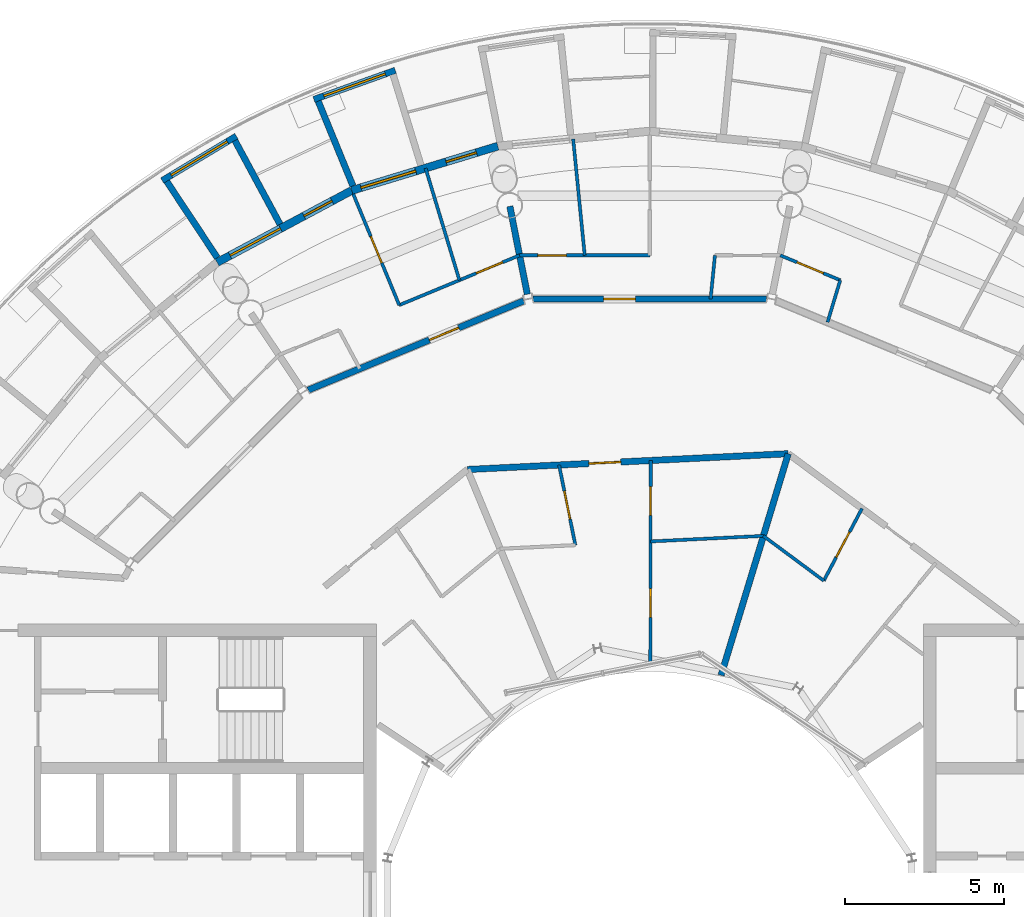
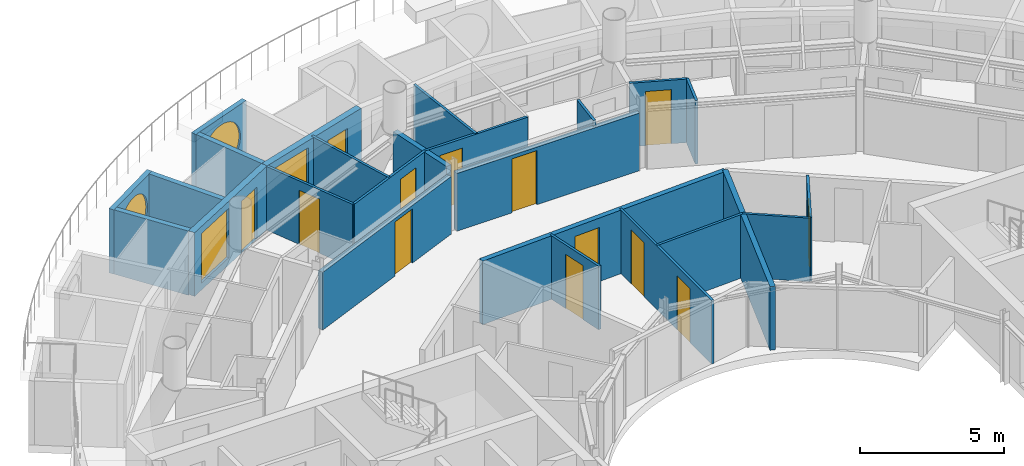
# One storey, part 19 of 25: 26 walls, 13 doors, 4 windows, 17 openings.
"""IFC4 building model written with IfcOpenShell, lengths in metres."""

from ifc_helpers import new_model, si_unit, direction, frame, frame_2d, origin, place, context, subcontext, project, spatial, rectangle, circle, extrude, material, layer, layer_set, type_object, element, fill, save


model = new_model("IFC4")

# Units and contexts
model_context = context("Model", 3, precision=1e-05, world=origin(), true_north=direction((0.0, 1.0)))
body_context = subcontext(model_context, "Body", "Model", "MODEL_VIEW")
ifc_project = project(units=[si_unit("LENGTHUNIT", "METRE"), si_unit("AREAUNIT", "SQUARE_METRE"), si_unit("VOLUMEUNIT", "CUBIC_METRE"), si_unit("PLANEANGLEUNIT", "RADIAN"), si_unit("MASSUNIT", "GRAM", prefix="KILO")], contexts=[model_context])

# Site, building, storey
site_placement = place(None, origin())
site = spatial("IfcSite", under=ifc_project, at=site_placement, CompositionType="ELEMENT")
building_placement = place(site_placement, origin())
building = spatial("IfcBuilding", under=site, at=building_placement, Name="Maasbend Ring Residences", CompositionType="ELEMENT")
storey_placement = place(building_placement, frame((0.0, 0.0, 246.25)))
storey = spatial("IfcBuildingStorey", under=building, at=storey_placement, Name="L71", CompositionType="ELEMENT", Elevation=246.25)

# Wall, opening, door
ifc_material_1 = material(Name="Concrete C30/37", Category="concrete")
ifc_layer_1 = layer(ifc_material_1, 0.199951171875)
ifc_layer_set_1 = layer_set([ifc_layer_1], Name="Concrete C30/37")
wall_type_1 = type_object("IfcWallType", Name="CORRIDOR WALL 200 CONCRETE", PredefinedType="PARTITIONING", material=ifc_layer_set_1)
wall_1_placement = place(storey_placement, frame((-5.739990234375, 13.85791015625, 0.0), z_axis=(0.0, 0.0, 1.0), x_axis=(0.998789005292, 0.049198810025, 0.0)))
wall_1 = element("IfcWall", 1, at=wall_1_placement, inside=storey, type_object=wall_type_1, Name="U-L71-w099", PredefinedType="PARTITIONING", context=body_context, shape_type="SweptSolid", body=[
    extrude(rectangle(XDim=10.103271484375, YDim=0.199951171875, at=frame_2d((5.0517578125, 0.0))), origin(), (0.0, 0.0, 1.0), 2.699951171875),
])
opening_1_placement = place(wall_1_placement, frame((3.8310546875, 0.0, 0.0)))
opening_1 = element("IfcOpeningElement", 2, at=opening_1_placement, cuts=wall_1, Name="Opening D-7125", PredefinedType="OPENING", context=body_context, shape_type="SweptSolid", body=[
    extrude(rectangle(XDim=1.0, YDim=2.300048828125, at=frame_2d((0.5, 1.14990234375))), frame((0.0, 0.10986328125, 0.0), z_axis=(0.0, -1.0, 0.0), x_axis=(1.0, 0.0, 0.0)), (0.0, 0.0, 1.0), 0.219970703125),
])
ifc_material_2 = material(Name="Timber, fire-rated, painted", Category="wood")
door_type_1 = type_object("IfcDoorType", Name="FLAT ENTRANCE DOOR 1000 X 2300 FIRE-RATED", OperationType="NOTDEFINED", PredefinedType="DOOR", material=ifc_material_2)
door_1_placement = place(opening_1_placement, origin())
door_1 = element("IfcDoor", 3, at=door_1_placement, inside=storey, type_object=door_type_1, Name="D-7125", OperationType="SINGLE_SWING_LEFT", OverallHeight=2.300048828125, OverallWidth=1.0, PredefinedType="DOOR", context=body_context, shape_type="SweptSolid", body=[
    extrude(rectangle(XDim=1.0, YDim=2.300048828125, at=frame_2d((0.5, 1.14990234375))), frame((0.0, 0.02490234375, 0.0), z_axis=(0.0, -1.0, 0.0), x_axis=(1.0, 0.0, 0.0)), (0.0, 0.0, 1.0), 0.050048828125),
])
fill(opening_1, door_1)

wall_2_placement = place(storey_placement, frame((-10.748046875, 16.35498046875, 0.0), z_axis=(0.0, 0.0, 1.0), x_axis=(0.92395118465, 0.382510402975, 0.0)))
wall_2 = element("IfcWall", 4, at=wall_2_placement, inside=storey, type_object=wall_type_1, Name="U-L71-w103", PredefinedType="PARTITIONING", context=body_context, shape_type="SweptSolid", body=[
    extrude(rectangle(XDim=7.34130859375, YDim=0.199951171875, at=frame_2d((3.670654296875, 0.0))), origin(), (0.0, 0.0, 1.0), 2.449951171875),
])
opening_2_placement = place(wall_2_placement, frame((4.126953125, 0.0, 0.0)))
opening_2 = element("IfcOpeningElement", 5, at=opening_2_placement, cuts=wall_2, Name="Opening D-7113", PredefinedType="OPENING", context=body_context, shape_type="SweptSolid", body=[
    extrude(rectangle(XDim=1.0, YDim=2.300048828125, at=frame_2d((0.5, 1.14990234375))), frame((0.0, 0.10986328125, 0.0), z_axis=(0.0, -1.0, 0.0), x_axis=(1.0, 0.0, 0.0)), (0.0, 0.0, 1.0), 0.219970703125),
])
door_2_placement = place(opening_2_placement, origin())
door_2 = element("IfcDoor", 6, at=door_2_placement, inside=storey, type_object=door_type_1, Name="D-7113", OperationType="SINGLE_SWING_RIGHT", OverallHeight=2.300048828125, OverallWidth=1.0, PredefinedType="DOOR", context=body_context, shape_type="SweptSolid", body=[
    extrude(rectangle(XDim=1.0, YDim=2.300048828125, at=frame_2d((0.5, 1.14990234375))), frame((0.0, 0.02490234375, 0.0), z_axis=(0.0, -1.0, 0.0), x_axis=(1.0, 0.0, 0.0)), (0.0, 0.0, 1.0), 0.050048828125),
])
fill(opening_2, door_2)

wall_3_placement = place(storey_placement, frame((-3.6708984375, 19.222900390625, 0.0), z_axis=(0.0, 0.0, 1.0), x_axis=(1.0, 0.0, 0.0)))
wall_3 = element("IfcWall", 7, at=wall_3_placement, inside=storey, type_object=wall_type_1, Name="U-L71-w104", PredefinedType="PARTITIONING", context=body_context, shape_type="SweptSolid", body=[
    extrude(rectangle(XDim=7.341796875, YDim=0.199951171875, at=frame_2d((3.6708984375, 0.0))), origin(), (0.0, 0.0, 1.0), 2.449951171875),
])
opening_3_placement = place(wall_3_placement, frame((2.215087890625, 0.0, 0.0)))
opening_3 = element("IfcOpeningElement", 8, at=opening_3_placement, cuts=wall_3, Name="Opening D-7109", PredefinedType="OPENING", context=body_context, shape_type="SweptSolid", body=[
    extrude(rectangle(XDim=1.0, YDim=2.300048828125, at=frame_2d((0.5, 1.14990234375))), frame((0.0, 0.10986328125, 0.0), z_axis=(0.0, -1.0, 0.0), x_axis=(1.0, 0.0, 0.0)), (0.0, 0.0, 1.0), 0.219970703125),
])
door_3_placement = place(opening_3_placement, origin())
door_3 = element("IfcDoor", 9, at=door_3_placement, inside=storey, type_object=door_type_1, Name="D-7109", OperationType="SINGLE_SWING_LEFT", OverallHeight=2.300048828125, OverallWidth=1.0, PredefinedType="DOOR", context=body_context, shape_type="SweptSolid", body=[
    extrude(rectangle(XDim=1.0, YDim=2.300048828125, at=frame_2d((0.5, 1.14990234375))), frame((0.0, 0.02490234375, 0.0), z_axis=(0.0, -1.0, 0.0), x_axis=(1.0, 0.0, 0.0)), (0.0, 0.0, 1.0), 0.050048828125),
])
fill(opening_3, door_3)

# Wall, opening, window
ifc_material_3 = material(Name="Pale anodised aluminium panel", Category="aluminium")
ifc_layer_2 = layer(ifc_material_3, 0.199951171875)
ifc_layer_set_2 = layer_set([ifc_layer_2], Name="EW-BOX")
wall_type_2 = type_object("IfcWallType", Name="EW-BOX", PredefinedType="SOLIDWALL", material=ifc_layer_set_2)
wall_4_placement = place(storey_placement, frame((-8.007080078125, 26.4130859375, -0.030029296875), z_axis=(0.0, 0.0, 1.0), x_axis=(-0.941532471443, -0.336922253968, 0.0)))
wall_4 = element("IfcWall", 10, at=wall_4_placement, inside=storey, type_object=wall_type_2, Name="Box front N14", PredefinedType="SOLIDWALL", context=body_context, shape_type="SweptSolid", body=[
    extrude(rectangle(XDim=2.71875, YDim=0.199951171875, at=frame_2d((1.359375, 0.0))), origin(), (0.0, 0.0, 1.0), 2.72998046875),
])
opening_4_placement = place(wall_4_placement, frame((0.319091796875, 0.0, 0.330078125)))
opening_4 = element("IfcOpeningElement", 11, at=opening_4_placement, cuts=wall_4, Name="Opening W-RD", PredefinedType="OPENING", context=body_context, shape_type="SweptSolid", body=[
    extrude(circle(Radius=1.0400390625, at=frame_2d((1.0400390625, 1.0400390625))), frame((0.0, 0.10986328125, 0.0), z_axis=(0.0, -1.0, 0.0), x_axis=(1.0, 0.0, 0.0)), (0.0, 0.0, 1.0), 0.219970703125),
])
ifc_material_4 = material(Name="Aluminium and clear glass", Category="aluminium")
window_type_1 = type_object("IfcWindowType", Name="W-RD", PartitioningType="SINGLE_PANEL", PredefinedType="WINDOW", material=ifc_material_4)
window_1_placement = place(opening_4_placement, origin())
window_1 = element("IfcWindow", 12, at=window_1_placement, inside=storey, type_object=window_type_1, Name="Round window N14", OverallHeight=2.080078125, OverallWidth=2.080078125, PartitioningType="SINGLE_PANEL", PredefinedType="WINDOW", context=body_context, shape_type="SweptSolid", body=[
    extrude(circle(Radius=1.0400390625, at=frame_2d((1.0400390625, 1.0400390625))), frame((0.0, 0.030029296875, 0.0), z_axis=(0.0, -1.0, 0.0), x_axis=(1.0, 0.0, 0.0)), (0.0, 0.0, 1.0), 0.06005859375),
])
fill(opening_4, window_1)

# Wall
wall_5_placement = place(storey_placement, frame((-9.337890625, 22.777099609375, -0.030029296875), z_axis=(0.0, 0.0, 1.0), x_axis=(-0.379219850791, 0.925306600412, 0.0)))
element("IfcWall", 13, at=wall_5_placement, inside=storey, type_object=wall_type_2, Name="Box side wall N14 right", PredefinedType="SOLIDWALL", context=body_context, shape_type="SweptSolid", body=[
    extrude(rectangle(XDim=2.88232421875, YDim=0.199951171875, at=frame_2d((1.441162109375, 0.0))), origin(), (0.0, 0.0, 1.0), 2.72998046875),
])

# Wall, opening, window
wall_6_placement = place(storey_placement, frame((-13.006103515625, 24.343017578125, -0.030029296875), z_axis=(0.0, 0.0, 1.0), x_axis=(-0.857833510448, -0.513927687863, 0.0)))
wall_6 = element("IfcWall", 14, at=wall_6_placement, inside=storey, type_object=wall_type_2, Name="Box front N16", PredefinedType="SOLIDWALL", context=body_context, shape_type="SweptSolid", body=[
    extrude(rectangle(XDim=2.71826171875, YDim=0.199951171875, at=frame_2d((1.359130859375, 0.0))), origin(), (0.0, 0.0, 1.0), 2.72998046875),
])
opening_5_placement = place(wall_6_placement, frame((0.319091796875, 0.0, 0.330078125)))
opening_5 = element("IfcOpeningElement", 15, at=opening_5_placement, cuts=wall_6, Name="Opening W-RD", PredefinedType="OPENING", context=body_context, shape_type="SweptSolid", body=[
    extrude(circle(Radius=1.0400390625, at=frame_2d((1.0400390625, 1.0400390625))), frame((0.0, 0.10986328125, 0.0), z_axis=(0.0, -1.0, 0.0), x_axis=(1.0, 0.0, 0.0)), (0.0, 0.0, 1.0), 0.219970703125),
])
window_2_placement = place(opening_5_placement, origin())
window_2 = element("IfcWindow", 16, at=window_2_placement, inside=storey, type_object=window_type_1, Name="Round window N16", OverallHeight=2.080078125, OverallWidth=2.080078125, PartitioningType="SINGLE_PANEL", PredefinedType="WINDOW", context=body_context, shape_type="SweptSolid", body=[
    extrude(circle(Radius=1.0400390625, at=frame_2d((1.0400390625, 1.0400390625))), frame((0.0, 0.030029296875, 0.0), z_axis=(0.0, -1.0, 0.0), x_axis=(1.0, 0.0, 0.0)), (0.0, 0.0, 1.0), 0.06005859375),
])
fill(opening_5, window_2)

# Walls
wall_7_placement = place(storey_placement, frame((-11.631103515625, 21.572021484375, -0.030029296875), z_axis=(0.0, 0.0, 1.0), x_axis=(-0.474649669009, 0.880174807473, 0.0)))
element("IfcWall", 17, at=wall_7_placement, inside=storey, type_object=wall_type_2, Name="Box side wall N16 left", PredefinedType="SOLIDWALL", context=body_context, shape_type="SweptSolid", body=[
    extrude(rectangle(XDim=2.991455078125, YDim=0.199951171875, at=frame_2d((1.49560546875, 0.0))), origin(), (0.0, 0.0, 1.0), 2.72998046875),
])
wall_8_placement = place(storey_placement, frame((-13.60302734375, 20.51806640625, -0.030029296875), z_axis=(0.0, 0.0, 1.0), x_axis=(-0.55248888476, 0.833520265031, 0.0)))
element("IfcWall", 18, at=wall_8_placement, inside=storey, type_object=wall_type_2, Name="Box side wall N16 right", PredefinedType="SOLIDWALL", context=body_context, shape_type="SweptSolid", body=[
    extrude(rectangle(XDim=2.881591796875, YDim=0.199951171875, at=frame_2d((1.44091796875, 0.0))), origin(), (0.0, 0.0, 1.0), 2.72998046875),
])

# Wall, openings, door, window
ifc_material_5 = material(Name="Aluminium clad insulated panel", Category="aluminium")
ifc_layer_3 = layer(ifc_material_5, 0.25)
ifc_layer_set_3 = layer_set([ifc_layer_3], Name="EW-GL")
wall_type_3 = type_object("IfcWallType", Name="EW-GL", PredefinedType="SOLIDWALL", material=ifc_layer_set_3)
wall_9_placement = place(storey_placement, frame((-4.780029296875, 24.029052734375, 0.0), z_axis=(0.0, 0.0, 1.0), x_axis=(-0.956947414517, -0.290261340605, 0.0)))
wall_9 = element("IfcWall", 19, at=wall_9_placement, inside=storey, type_object=wall_type_3, Name="External wall N07", PredefinedType="SOLIDWALL", context=body_context, shape_type="SweptSolid", body=[
    extrude(rectangle(XDim=4.802734375, YDim=0.25, at=frame_2d((2.4013671875, 0.0))), origin(), (0.0, 0.0, 1.0), 2.699951171875),
])
opening_6_placement = place(wall_9_placement, frame((0.70361328125, 0.0, 0.0)))
opening_6 = element("IfcOpeningElement", 20, at=opening_6_placement, cuts=wall_9, Name="Opening D-LG", PredefinedType="OPENING", context=body_context, shape_type="SweptSolid", body=[
    extrude(rectangle(XDim=1.0, YDim=2.199951171875, at=frame_2d((0.5, 1.10009765625))), frame((0.0, 0.135009765625, 0.0), z_axis=(0.0, -1.0, 0.0), x_axis=(1.0, 0.0, 0.0)), (0.0, 0.0, 1.0), 0.27001953125),
])
opening_7_placement = place(wall_9_placement, frame((2.69921875, 0.0, 0.300048828125)))
opening_7 = element("IfcOpeningElement", 21, at=opening_7_placement, cuts=wall_9, Name="Opening W-BX", PredefinedType="OPENING", context=body_context, shape_type="SweptSolid", body=[
    extrude(rectangle(XDim=1.800048828125, YDim=2.10009765625, at=frame_2d((0.89990234375, 1.050048828125))), frame((0.0, 0.135009765625, 0.0), z_axis=(0.0, -1.0, 0.0), x_axis=(1.0, 0.0, 0.0)), (0.0, 0.0, 1.0), 0.27001953125),
])
ifc_material_6 = material(Name="Aluminium and clear glass", Category="aluminium")
door_type_2 = type_object("IfcDoorType", Name="D-LG", OperationType="SINGLE_SWING_LEFT", PredefinedType="DOOR", material=ifc_material_6)
door_4_placement = place(opening_6_placement, origin())
door_4 = element("IfcDoor", 22, at=door_4_placement, inside=storey, type_object=door_type_2, Name="Loggia door N13", OperationType="SINGLE_SWING_LEFT", OverallHeight=2.199951171875, OverallWidth=1.0, PredefinedType="DOOR", context=body_context, shape_type="SweptSolid", body=[
    extrude(rectangle(XDim=1.0, YDim=2.199951171875, at=frame_2d((0.5, 1.10009765625))), frame((0.0, 0.02490234375, 0.0), z_axis=(0.0, -1.0, 0.0), x_axis=(1.0, 0.0, 0.0)), (0.0, 0.0, 1.0), 0.050048828125),
])
fill(opening_6, door_4)
ifc_material_7 = material(Name="Aluminium and clear glass", Category="aluminium")
window_type_2 = type_object("IfcWindowType", Name="W-BX", PartitioningType="DOUBLE_PANEL_VERTICAL", PredefinedType="WINDOW", material=ifc_material_7)
window_3_placement = place(opening_7_placement, origin())
window_3 = element("IfcWindow", 23, at=window_3_placement, inside=storey, type_object=window_type_2, Name="Window N14 room to box", OverallHeight=2.10009765625, OverallWidth=1.800048828125, PartitioningType="SINGLE_PANEL", PredefinedType="WINDOW", context=body_context, shape_type="SweptSolid", body=[
    extrude(rectangle(XDim=1.800048828125, YDim=2.10009765625, at=frame_2d((0.89990234375, 1.050048828125))), frame((0.0, 0.030029296875, 0.0), z_axis=(0.0, -1.0, 0.0), x_axis=(1.0, 0.0, 0.0)), (0.0, 0.0, 1.0), 0.06005859375),
])
fill(opening_7, window_3)

wall_10_placement = place(storey_placement, frame((-9.3759765625, 22.635009765625, 0.0), z_axis=(0.0, 0.0, 1.0), x_axis=(-0.881903608701, -0.471429766731, 0.0)))
wall_10 = element("IfcWall", 24, at=wall_10_placement, inside=storey, type_object=wall_type_3, Name="External wall N08", PredefinedType="SOLIDWALL", context=body_context, shape_type="SweptSolid", body=[
    extrude(rectangle(XDim=4.80224609375, YDim=0.25, at=frame_2d((2.401123046875, 0.0))), origin(), (0.0, 0.0, 1.0), 2.699951171875),
])
opening_8_placement = place(wall_10_placement, frame((0.70361328125, 0.0, 0.0)))
opening_8 = element("IfcOpeningElement", 25, at=opening_8_placement, cuts=wall_10, Name="Opening D-LG", PredefinedType="OPENING", context=body_context, shape_type="SweptSolid", body=[
    extrude(rectangle(XDim=1.0, YDim=2.199951171875, at=frame_2d((0.5, 1.10009765625))), frame((0.0, 0.135009765625, 0.0), z_axis=(0.0, -1.0, 0.0), x_axis=(1.0, 0.0, 0.0)), (0.0, 0.0, 1.0), 0.27001953125),
])
opening_9_placement = place(wall_10_placement, frame((2.54150390625, 0.0, 0.300048828125)))
opening_9 = element("IfcOpeningElement", 26, at=opening_9_placement, cuts=wall_10, Name="Opening W-BX", PredefinedType="OPENING", context=body_context, shape_type="SweptSolid", body=[
    extrude(rectangle(XDim=1.800048828125, YDim=2.10009765625, at=frame_2d((0.89990234375, 1.050048828125))), frame((0.0, 0.135009765625, 0.0), z_axis=(0.0, -1.0, 0.0), x_axis=(1.0, 0.0, 0.0)), (0.0, 0.0, 1.0), 0.27001953125),
])
door_5_placement = place(opening_8_placement, origin())
door_5 = element("IfcDoor", 27, at=door_5_placement, inside=storey, type_object=door_type_2, Name="Loggia door N15", OperationType="SINGLE_SWING_LEFT", OverallHeight=2.199951171875, OverallWidth=1.0, PredefinedType="DOOR", context=body_context, shape_type="SweptSolid", body=[
    extrude(rectangle(XDim=1.0, YDim=2.199951171875, at=frame_2d((0.5, 1.10009765625))), frame((0.0, 0.02490234375, 0.0), z_axis=(0.0, -1.0, 0.0), x_axis=(1.0, 0.0, 0.0)), (0.0, 0.0, 1.0), 0.050048828125),
])
fill(opening_8, door_5)
window_4_placement = place(opening_9_placement, origin())
window_4 = element("IfcWindow", 28, at=window_4_placement, inside=storey, type_object=window_type_2, Name="Window N16 room to box", OverallHeight=2.10009765625, OverallWidth=1.800048828125, PartitioningType="SINGLE_PANEL", PredefinedType="WINDOW", context=body_context, shape_type="SweptSolid", body=[
    extrude(rectangle(XDim=1.800048828125, YDim=2.10009765625, at=frame_2d((0.89990234375, 1.050048828125))), frame((0.0, 0.030029296875, 0.0), z_axis=(0.0, -1.0, 0.0), x_axis=(1.0, 0.0, 0.0)), (0.0, 0.0, 1.0), 0.06005859375),
])
fill(opening_9, window_4)

# Wall
ifc_material_8 = material(Name="Gypsum board on steel studs", Category="steel")
ifc_layer_4 = layer(ifc_material_8, 0.10009765625)
ifc_layer_set_4 = layer_set([ifc_layer_4], Name="PARTITION 100 GYPSUM")
wall_type_4 = type_object("IfcWallType", Name="PARTITION 100 GYPSUM", PredefinedType="PARTITIONING", material=ifc_layer_set_4)
wall_11_placement = place(storey_placement, frame((1.912109375, 19.222900390625, 0.0), z_axis=(0.0, 0.0, 1.0), x_axis=(0.098557638448, 0.995131344046, 0.0)))
element("IfcWall", 29, at=wall_11_placement, inside=storey, type_object=wall_type_4, Name="U-L71-w031", PredefinedType="PARTITIONING", context=body_context, shape_type="SweptSolid", body=[
    extrude(rectangle(XDim=1.3798828125, YDim=0.10009765625, at=frame_2d((0.68994140625, 0.0))), origin(), (0.0, 0.0, 1.0), 2.699951171875),
])

# Wall, opening, door
wall_12_placement = place(storey_placement, frame((-9.327880859375, 22.52001953125, 0.0), z_axis=(0.0, 0.0, 1.0), x_axis=(0.382637120452, -0.923898714174, 0.0)))
wall_12 = element("IfcWall", 30, at=wall_12_placement, inside=storey, type_object=wall_type_4, Name="U-L71-w044", PredefinedType="PARTITIONING", context=body_context, shape_type="SweptSolid", body=[
    extrude(rectangle(XDim=3.778564453125, YDim=0.10009765625, at=frame_2d((1.88916015625, 0.0))), origin(), (0.0, 0.0, 1.0), 2.699951171875),
])
opening_10_placement = place(wall_12_placement, frame((1.43896484375, 0.0, 0.0)))
opening_10 = element("IfcOpeningElement", 31, at=opening_10_placement, cuts=wall_12, Name="Opening D-7115", PredefinedType="OPENING", context=body_context, shape_type="SweptSolid", body=[
    extrude(rectangle(XDim=0.89990234375, YDim=2.300048828125, at=frame_2d((0.449951171875, 1.14990234375))), frame((0.0, 0.06005859375, 0.0), z_axis=(0.0, -1.0, 0.0), x_axis=(1.0, 0.0, 0.0)), (0.0, 0.0, 1.0), 0.1201171875),
])
ifc_material_9 = material(Name="Timber, painted", Category="wood")
door_type_3 = type_object("IfcDoorType", Name="INTERNAL DOOR 900 X 2300", OperationType="NOTDEFINED", PredefinedType="DOOR", material=ifc_material_9)
door_6_placement = place(opening_10_placement, origin())
door_6 = element("IfcDoor", 32, at=door_6_placement, inside=storey, type_object=door_type_3, Name="D-7115", OperationType="SINGLE_SWING_RIGHT", OverallHeight=2.300048828125, OverallWidth=0.89990234375, PredefinedType="DOOR", context=body_context, shape_type="SweptSolid", body=[
    extrude(rectangle(XDim=0.89990234375, YDim=2.300048828125, at=frame_2d((0.449951171875, 1.14990234375))), frame((0.0, 0.02490234375, 0.0), z_axis=(0.0, -1.0, 0.0), x_axis=(1.0, 0.0, 0.0)), (0.0, 0.0, 1.0), 0.050048828125),
])
fill(opening_10, door_6)

# Wall
wall_13_placement = place(storey_placement, frame((-7.052978515625, 23.33203125, 0.0), z_axis=(0.0, 0.0, 1.0), x_axis=(0.289406481695, -0.957206293519, 0.0)))
element("IfcWall", 33, at=wall_13_placement, inside=storey, type_object=wall_type_4, Name="U-L71-w050", PredefinedType="PARTITIONING", context=body_context, shape_type="SweptSolid", body=[
    extrude(rectangle(XDim=3.67626953125, YDim=0.10009765625, at=frame_2d((1.838134765625, 0.0))), origin(), (0.0, 0.0, 1.0), 2.699951171875),
])

# Wall, opening, door
wall_14_placement = place(storey_placement, frame((-2.85595703125, 14.0, 0.0), z_axis=(0.0, 0.0, 1.0), x_axis=(0.199820523641, -0.979832515449, 0.0)))
wall_14 = element("IfcWall", 34, at=wall_14_placement, inside=storey, type_object=wall_type_4, Name="U-L71-w055", PredefinedType="PARTITIONING", context=body_context, shape_type="SweptSolid", body=[
    extrude(rectangle(XDim=2.57177734375, YDim=0.10009765625, at=frame_2d((1.285888671875, 0.0))), origin(), (0.0, 0.0, 1.0), 2.699951171875),
])
opening_11_placement = place(wall_14_placement, frame((0.8359375, 0.0, 0.0)))
opening_11 = element("IfcOpeningElement", 35, at=opening_11_placement, cuts=wall_14, Name="Opening D-7126", PredefinedType="OPENING", context=body_context, shape_type="SweptSolid", body=[
    extrude(rectangle(XDim=0.89990234375, YDim=2.300048828125, at=frame_2d((0.449951171875, 1.14990234375))), frame((0.0, 0.06005859375, 0.0), z_axis=(0.0, -1.0, 0.0), x_axis=(1.0, 0.0, 0.0)), (0.0, 0.0, 1.0), 0.1201171875),
])
door_7_placement = place(opening_11_placement, origin())
door_7 = element("IfcDoor", 36, at=door_7_placement, inside=storey, type_object=door_type_3, Name="D-7126", OperationType="SINGLE_SWING_RIGHT", OverallHeight=2.300048828125, OverallWidth=0.89990234375, PredefinedType="DOOR", context=body_context, shape_type="SweptSolid", body=[
    extrude(rectangle(XDim=0.89990234375, YDim=2.300048828125, at=frame_2d((0.449951171875, 1.14990234375))), frame((0.0, 0.02490234375, 0.0), z_axis=(0.0, -1.0, 0.0), x_axis=(1.0, 0.0, 0.0)), (0.0, 0.0, 1.0), 0.050048828125),
])
fill(opening_11, door_7)

# Wall
wall_15_placement = place(storey_placement, frame((-2.412109375, 24.2548828125, 0.0), z_axis=(0.0, 0.0, 1.0), x_axis=(0.09899751331, -0.995087680739, 0.0)))
element("IfcWall", 37, at=wall_15_placement, inside=storey, type_object=wall_type_4, Name="U-L71-w056", PredefinedType="PARTITIONING", context=body_context, shape_type="SweptSolid", body=[
    extrude(rectangle(XDim=3.677001953125, YDim=0.10009765625, at=frame_2d((1.83837890625, 0.0))), origin(), (0.0, 0.0, 1.0), 2.699951171875),
])

# Wall, openings, doors
wall_16_placement = place(storey_placement, frame((0.014892578125, 7.719970703125, 0.0), z_axis=(0.0, 0.0, 1.0), x_axis=(0.00205283734, 0.999997892927, 0.0)))
wall_16 = element("IfcWall", 38, at=wall_16_placement, inside=storey, type_object=wall_type_4, Name="U-L71-w061", PredefinedType="PARTITIONING", context=body_context, shape_type="SweptSolid", body=[
    extrude(rectangle(XDim=6.422119140625, YDim=0.10009765625, at=frame_2d((3.2109375, 0.0))), origin(), (0.0, 0.0, 1.0), 2.699951171875),
])
opening_12_placement = place(wall_16_placement, frame((4.698974609375, 0.0, 0.0)))
opening_12 = element("IfcOpeningElement", 39, at=opening_12_placement, cuts=wall_16, Name="Opening D-7127", PredefinedType="OPENING", context=body_context, shape_type="SweptSolid", body=[
    extrude(rectangle(XDim=0.89990234375, YDim=2.300048828125, at=frame_2d((0.449951171875, 1.14990234375))), frame((0.0, 0.06005859375, 0.0), z_axis=(0.0, -1.0, 0.0), x_axis=(1.0, 0.0, 0.0)), (0.0, 0.0, 1.0), 0.1201171875),
])
opening_13_placement = place(wall_16_placement, frame((1.488037109375, 0.0, 0.0)))
opening_13 = element("IfcOpeningElement", 40, at=opening_13_placement, cuts=wall_16, Name="Opening D-7128", PredefinedType="OPENING", context=body_context, shape_type="SweptSolid", body=[
    extrude(rectangle(XDim=0.89990234375, YDim=2.300048828125, at=frame_2d((0.449951171875, 1.14990234375))), frame((0.0, 0.06005859375, 0.0), z_axis=(0.0, -1.0, 0.0), x_axis=(1.0, 0.0, 0.0)), (0.0, 0.0, 1.0), 0.1201171875),
])
door_8_placement = place(opening_12_placement, origin())
door_8 = element("IfcDoor", 41, at=door_8_placement, inside=storey, type_object=door_type_3, Name="D-7127", OperationType="SINGLE_SWING_RIGHT", OverallHeight=2.300048828125, OverallWidth=0.89990234375, PredefinedType="DOOR", context=body_context, shape_type="SweptSolid", body=[
    extrude(rectangle(XDim=0.89990234375, YDim=2.300048828125, at=frame_2d((0.449951171875, 1.14990234375))), frame((0.0, 0.02490234375, 0.0), z_axis=(0.0, -1.0, 0.0), x_axis=(1.0, 0.0, 0.0)), (0.0, 0.0, 1.0), 0.050048828125),
])
fill(opening_12, door_8)
door_9_placement = place(opening_13_placement, origin())
door_9 = element("IfcDoor", 42, at=door_9_placement, inside=storey, type_object=door_type_3, Name="D-7128", OperationType="SINGLE_SWING_LEFT", OverallHeight=2.300048828125, OverallWidth=0.89990234375, PredefinedType="DOOR", context=body_context, shape_type="SweptSolid", body=[
    extrude(rectangle(XDim=0.89990234375, YDim=2.300048828125, at=frame_2d((0.449951171875, 1.14990234375))), frame((0.0, 0.02490234375, 0.0), z_axis=(0.0, -1.0, 0.0), x_axis=(1.0, 0.0, 0.0)), (0.0, 0.0, 1.0), 0.050048828125),
])
fill(opening_13, door_9)

# Wall, opening, door
wall_17_placement = place(storey_placement, frame((5.471923828125, 10.360107421875, 0.0), z_axis=(0.0, 0.0, 1.0), x_axis=(0.467373035141, 0.884060204976, 0.0)))
wall_17 = element("IfcWall", 43, at=wall_17_placement, inside=storey, type_object=wall_type_4, Name="U-L71-w072", PredefinedType="PARTITIONING", context=body_context, shape_type="SweptSolid", body=[
    extrude(rectangle(XDim=2.572021484375, YDim=0.10009765625, at=frame_2d((1.2861328125, 0.0))), origin(), (0.0, 0.0, 1.0), 2.699951171875),
])
opening_14_placement = place(wall_17_placement, frame((0.8359375, 0.0, 0.0)))
opening_14 = element("IfcOpeningElement", 44, at=opening_14_placement, cuts=wall_17, Name="Opening D-7122", PredefinedType="OPENING", context=body_context, shape_type="SweptSolid", body=[
    extrude(rectangle(XDim=0.89990234375, YDim=2.300048828125, at=frame_2d((0.449951171875, 1.14990234375))), frame((0.0, 0.06005859375, 0.0), z_axis=(0.0, -1.0, 0.0), x_axis=(1.0, 0.0, 0.0)), (0.0, 0.0, 1.0), 0.1201171875),
])
door_10_placement = place(opening_14_placement, origin())
door_10 = element("IfcDoor", 45, at=door_10_placement, inside=storey, type_object=door_type_3, Name="D-7122", OperationType="SINGLE_SWING_LEFT", OverallHeight=2.300048828125, OverallWidth=0.89990234375, PredefinedType="DOOR", context=body_context, shape_type="SweptSolid", body=[
    extrude(rectangle(XDim=0.89990234375, YDim=2.300048828125, at=frame_2d((0.449951171875, 1.14990234375))), frame((0.0, 0.02490234375, 0.0), z_axis=(0.0, -1.0, 0.0), x_axis=(1.0, 0.0, 0.0)), (0.0, 0.0, 1.0), 0.050048828125),
])
fill(opening_14, door_10)

# Walls
wall_18_placement = place(storey_placement, frame((5.590087890625, 18.491943359375, 0.0), z_axis=(0.0, 0.0, 1.0), x_axis=(0.289084131919, 0.957303695111, 0.0)))
element("IfcWall", 46, at=wall_18_placement, inside=storey, type_object=wall_type_4, Name="U-L71-w073", PredefinedType="PARTITIONING", context=body_context, shape_type="SweptSolid", body=[
    extrude(rectangle(XDim=1.3798828125, YDim=0.10009765625, at=frame_2d((0.68994140625, 0.0))), origin(), (0.0, 0.0, 1.0), 2.699951171875),
])
wall_19_placement = place(storey_placement, frame((0.02294921875, 11.595947265625, 0.0), z_axis=(0.0, 0.0, 1.0), x_axis=(0.998798689193, 0.049001821055, 0.0)))
element("IfcWall", 47, at=wall_19_placement, inside=storey, type_object=wall_type_4, Name="U-L71-w094", PredefinedType="PARTITIONING", context=body_context, shape_type="SweptSolid", body=[
    extrude(rectangle(XDim=3.55224609375, YDim=0.10009765625, at=frame_2d((1.776123046875, 0.0))), origin(), (0.0, 0.0, 1.0), 2.699951171875),
])
wall_20_placement = place(storey_placement, frame((3.569091796875, 11.77001953125, 0.0), z_axis=(0.0, 0.0, 1.0), x_axis=(0.803379855413, -0.5954668823, 0.0)))
element("IfcWall", 48, at=wall_20_placement, inside=storey, type_object=wall_type_4, Name="U-L71-w095", PredefinedType="PARTITIONING", context=body_context, shape_type="SweptSolid", body=[
    extrude(rectangle(XDim=2.3662109375, YDim=0.10009765625, at=frame_2d((1.18310546875, 0.0))), origin(), (0.0, 0.0, 1.0), 2.699951171875),
])

# Wall, opening, door
wall_21_placement = place(storey_placement, frame((-7.884033203125, 19.028076171875, 0.0), z_axis=(0.0, 0.0, 1.0), x_axis=(0.923919487387, 0.382586958517, 0.0)))
wall_21 = element("IfcWall", 49, at=wall_21_placement, inside=storey, type_object=wall_type_4, Name="U-L71-w112", PredefinedType="PARTITIONING", context=body_context, shape_type="SweptSolid", body=[
    extrude(rectangle(XDim=4.095458984375, YDim=0.10009765625, at=frame_2d((2.0478515625, 0.0))), origin(), (0.0, 0.0, 1.0), 2.699951171875),
])
opening_15_placement = place(wall_21_placement, frame((2.6240234375, 0.0, 0.0)))
opening_15 = element("IfcOpeningElement", 50, at=opening_15_placement, cuts=wall_21, Name="Opening D-7116", PredefinedType="OPENING", context=body_context, shape_type="SweptSolid", body=[
    extrude(rectangle(XDim=0.89990234375, YDim=2.300048828125, at=frame_2d((0.449951171875, 1.14990234375))), frame((0.0, 0.06005859375, 0.0), z_axis=(0.0, -1.0, 0.0), x_axis=(1.0, 0.0, 0.0)), (0.0, 0.0, 1.0), 0.1201171875),
])
door_11_placement = place(opening_15_placement, origin())
door_11 = element("IfcDoor", 51, at=door_11_placement, inside=storey, type_object=door_type_3, Name="D-7116", OperationType="SINGLE_SWING_RIGHT", OverallHeight=2.300048828125, OverallWidth=0.89990234375, PredefinedType="DOOR", context=body_context, shape_type="SweptSolid", body=[
    extrude(rectangle(XDim=0.89990234375, YDim=2.300048828125, at=frame_2d((0.449951171875, 1.14990234375))), frame((0.0, 0.02490234375, 0.0), z_axis=(0.0, -1.0, 0.0), x_axis=(1.0, 0.0, 0.0)), (0.0, 0.0, 1.0), 0.050048828125),
])
fill(opening_15, door_11)

wall_22_placement = place(storey_placement, frame((-4.096923828125, 20.595947265625, 0.0), z_axis=(0.0, 0.0, 1.0), x_axis=(1.0, 0.0, 0.0)))
wall_22 = element("IfcWall", 52, at=wall_22_placement, inside=storey, type_object=wall_type_4, Name="U-L71-w113", PredefinedType="PARTITIONING", context=body_context, shape_type="SweptSolid", body=[
    extrude(rectangle(XDim=4.096923828125, YDim=0.10009765625, at=frame_2d((2.04833984375, 0.0))), origin(), (0.0, 0.0, 1.0), 2.699951171875),
])
opening_16_placement = place(wall_22_placement, frame((0.574951171875, 0.0, 0.0)))
opening_16 = element("IfcOpeningElement", 53, at=opening_16_placement, cuts=wall_22, Name="Opening D-7112", PredefinedType="OPENING", context=body_context, shape_type="SweptSolid", body=[
    extrude(rectangle(XDim=0.89990234375, YDim=2.300048828125, at=frame_2d((0.449951171875, 1.14990234375))), frame((0.0, 0.06005859375, 0.0), z_axis=(0.0, -1.0, 0.0), x_axis=(1.0, 0.0, 0.0)), (0.0, 0.0, 1.0), 0.1201171875),
])
door_12_placement = place(opening_16_placement, origin())
door_12 = element("IfcDoor", 54, at=door_12_placement, inside=storey, type_object=door_type_3, Name="D-7112", OperationType="SINGLE_SWING_LEFT", OverallHeight=2.300048828125, OverallWidth=0.89990234375, PredefinedType="DOOR", context=body_context, shape_type="SweptSolid", body=[
    extrude(rectangle(XDim=0.89990234375, YDim=2.300048828125, at=frame_2d((0.449951171875, 1.14990234375))), frame((0.0, 0.02490234375, 0.0), z_axis=(0.0, -1.0, 0.0), x_axis=(1.0, 0.0, 0.0)), (0.0, 0.0, 1.0), 0.050048828125),
])
fill(opening_16, door_12)

wall_23_placement = place(storey_placement, frame((4.10400390625, 20.593994140625, 0.0), z_axis=(0.0, 0.0, 1.0), x_axis=(0.923843920075, -0.382769397079, 0.0)))
wall_23 = element("IfcWall", 55, at=wall_23_placement, inside=storey, type_object=wall_type_4, Name="U-L71-w115", PredefinedType="PARTITIONING", context=body_context, shape_type="SweptSolid", body=[
    extrude(rectangle(XDim=2.048095703125, YDim=0.10009765625, at=frame_2d((1.02392578125, 0.0))), origin(), (0.0, 0.0, 1.0), 2.699951171875),
])
opening_17_placement = place(wall_23_placement, frame((0.56689453125, 0.0, 0.0)))
opening_17 = element("IfcOpeningElement", 56, at=opening_17_placement, cuts=wall_23, Name="Opening D-7106", PredefinedType="OPENING", context=body_context, shape_type="SweptSolid", body=[
    extrude(rectangle(XDim=0.89990234375, YDim=2.300048828125, at=frame_2d((0.449951171875, 1.14990234375))), frame((0.0, 0.06005859375, 0.0), z_axis=(0.0, -1.0, 0.0), x_axis=(1.0, 0.0, 0.0)), (0.0, 0.0, 1.0), 0.1201171875),
])
door_13_placement = place(opening_17_placement, origin())
door_13 = element("IfcDoor", 57, at=door_13_placement, inside=storey, type_object=door_type_3, Name="D-7106", OperationType="SINGLE_SWING_LEFT", OverallHeight=2.300048828125, OverallWidth=0.89990234375, PredefinedType="DOOR", context=body_context, shape_type="SweptSolid", body=[
    extrude(rectangle(XDim=0.89990234375, YDim=2.300048828125, at=frame_2d((0.449951171875, 1.14990234375))), frame((0.0, 0.02490234375, 0.0), z_axis=(0.0, -1.0, 0.0), x_axis=(1.0, 0.0, 0.0)), (0.0, 0.0, 1.0), 0.050048828125),
])
fill(opening_17, door_13)

# Walls
ifc_material_10 = material(Name="Concrete C30/37", Category="concrete")
ifc_layer_5 = layer(ifc_material_10, 0.199951171875)
ifc_layer_set_5 = layer_set([ifc_layer_5], Name="Concrete C30/37")
wall_type_5 = type_object("IfcWallType", Name="PARTY WALL 200 CONCRETE", PredefinedType="PARTITIONING", material=ifc_layer_set_5)
wall_24_placement = place(storey_placement, frame((-4.404052734375, 22.138916015625, 0.0), z_axis=(0.0, 0.0, 1.0), x_axis=(0.19518472663, -0.980766497435, 0.0)))
element("IfcWall", 58, at=wall_24_placement, inside=storey, type_object=wall_type_5, Name="U-L71-w053", PredefinedType="PARTITIONING", context=body_context, shape_type="SweptSolid", body=[
    extrude(rectangle(XDim=2.822998046875, YDim=0.199951171875, at=frame_2d((1.41162109375, 0.0))), origin(), (0.0, 0.0, 1.0), 2.699951171875),
])
wall_25_placement = place(storey_placement, frame((2.241943359375, 7.387939453125, 0.0), z_axis=(0.0, 0.0, 1.0), x_axis=(0.291087364513, 0.956696475493, 0.0)))
element("IfcWall", 59, at=wall_25_placement, inside=storey, type_object=wall_type_5, Name="U-L71-w065", PredefinedType="PARTITIONING", context=body_context, shape_type="SweptSolid", body=[
    extrude(rectangle(XDim=4.579345703125, YDim=0.199951171875, at=frame_2d((2.28955078125, 0.0))), origin(), (0.0, 0.0, 1.0), 2.699951171875),
])
wall_26_placement = place(storey_placement, frame((3.571044921875, 11.77001953125, 0.0), z_axis=(0.0, 0.0, 1.0), x_axis=(0.289984808601, 0.957031248592, 0.0)))
element("IfcWall", 60, at=wall_26_placement, inside=storey, type_object=wall_type_5, Name="U-L71-w066", PredefinedType="PARTITIONING", context=body_context, shape_type="SweptSolid", body=[
    extrude(rectangle(XDim=2.699951171875, YDim=0.199951171875, at=frame_2d((1.35009765625, 0.0))), origin(), (0.0, 0.0, 1.0), 2.699951171875),
])

save(model, "model.ifc")
